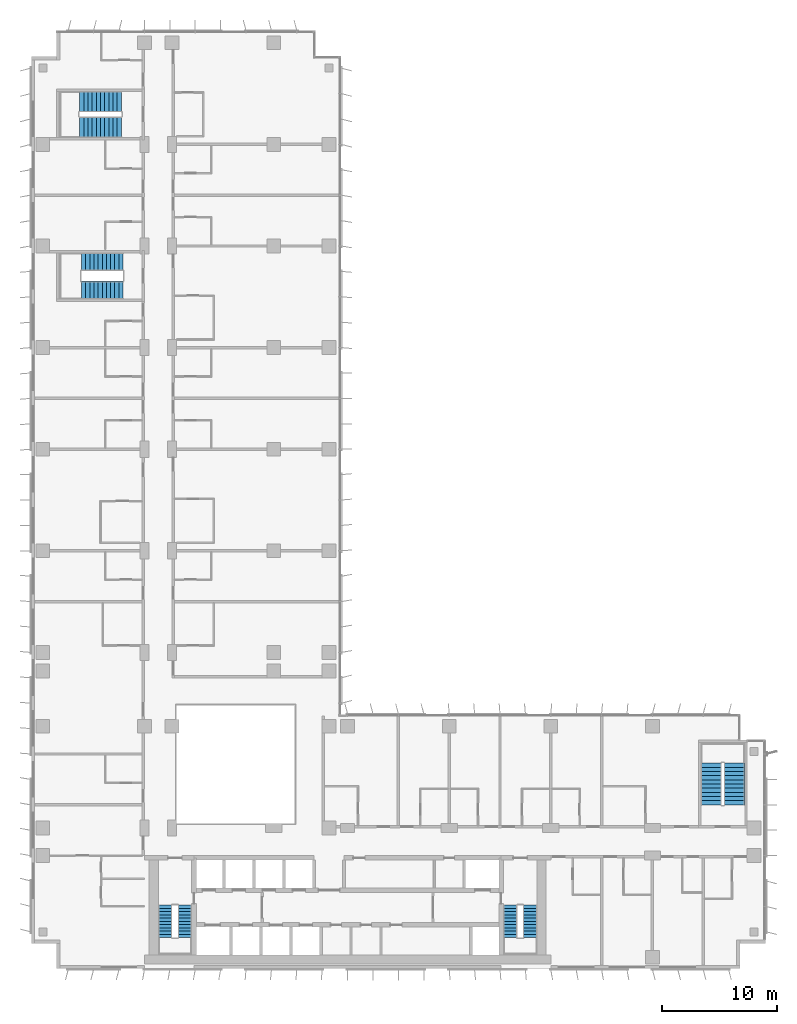
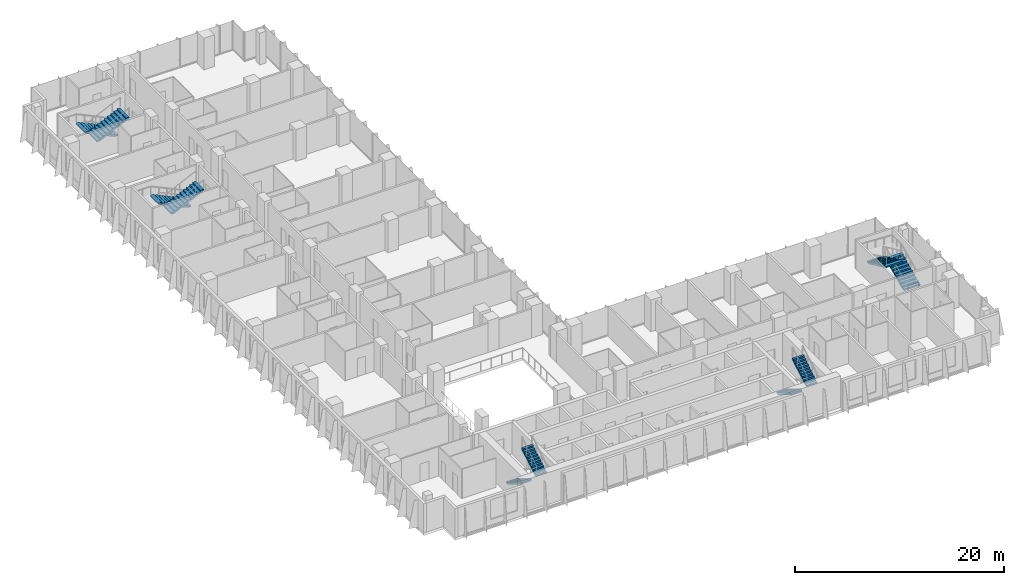
# One storey, part 19 of 23: 10 stair flights, 5 elements without a shape of their own.
"""IFC4 building model written with IfcOpenShell, lengths in metres."""

from ifc_helpers import new_model, si_unit, direction, frame, origin, place, context, subcontext, project, spatial, polyline, outline, extrude, material, type_object, element, aggregate, save


model = new_model("IFC4")

# Units and contexts
model_context = context("Model", 3, precision=1e-05, world=origin(), true_north=direction((0.0, 1.0)))
body_context = subcontext(model_context, "Body", "Model", "MODEL_VIEW")
ifc_project = project(units=[si_unit("LENGTHUNIT", "METRE"), si_unit("AREAUNIT", "SQUARE_METRE"), si_unit("VOLUMEUNIT", "CUBIC_METRE"), si_unit("PLANEANGLEUNIT", "RADIAN"), si_unit("MASSUNIT", "GRAM", prefix="KILO")], contexts=[model_context])

# Site, building, storey
site_placement = place(None, origin())
site = spatial("IfcSite", under=ifc_project, at=site_placement, CompositionType="ELEMENT")
building_placement = place(site_placement, origin())
building = spatial("IfcBuilding", under=site, at=building_placement, Name="Kemantara Hotel Tower", CompositionType="ELEMENT")
storey_placement = place(building_placement, frame((0.0, 0.0, 118.5)))
storey = spatial("IfcBuildingStorey", under=building, at=storey_placement, Name="L28", CompositionType="ELEMENT", Elevation=118.5)

# Stair, stair flights
ifc_material = material(Name="Concrete fc 40 MPa", Category="concrete")
stair_type_1 = type_object("IfcStairType", Name="Stair 1200 wide 22 risers of 168 x 280 mm", PredefinedType="HALF_TURN_STAIR", material=ifc_material)
stair_1_placement = place(storey_placement, origin())
stair_1 = element("IfcStair", 1, at=stair_1_placement, inside=storey, type_object=stair_type_1, Name="L28 Exit stair ST1", PredefinedType="HALF_TURN_STAIR")
stair_flight_type_1 = type_object("IfcStairFlightType", Name="Stair flight 1200 wide 168 x 280 mm", PredefinedType="STRAIGHT", material=ifc_material)
stair_flight_1_placement = place(storey_placement, frame((11.60009765625, 5.5, 0.0), z_axis=(0.0, 0.0, 1.0), x_axis=(0.0, -1.0, 0.0)))
stair_flight_1 = element("IfcStairFlight", 2, at=stair_flight_1_placement, type_object=stair_flight_type_1, Name="ST1 flight 1", NumberOfRisers=11, NumberOfTreads=10, PredefinedType="STRAIGHT", RiserHeight=0.168181818, TreadLength=0.28, context=body_context, shape_type="SweptSolid", body=[
    extrude(outline(polyline([(0.0, 0.0), (0.0, 0.168212890625), (0.280029296875, 0.168212890625), (0.280029296875, 0.33642578125), (0.56005859375, 0.33642578125), (0.56005859375, 0.504638671875), (0.840087890625, 0.504638671875), (0.840087890625, 0.672607421875), (1.1201171875, 0.672607421875), (1.1201171875, 0.8408203125), (1.39990234375, 0.8408203125), (1.39990234375, 1.009033203125), (1.679931640625, 1.009033203125), (1.679931640625, 1.17724609375), (1.9599609375, 1.17724609375), (1.9599609375, 1.345458984375), (2.239990234375, 1.345458984375), (2.239990234375, 1.513671875), (2.52001953125, 1.513671875), (2.52001953125, 1.681884765625), (2.800048828125, 1.681884765625), (2.800048828125, 1.85009765625), (2.800048828125, 1.5068359375), (0.291015625, 0.0), (0.0, 0.0)])), frame((0.0, 0.60009765625, 0.0), z_axis=(0.0, -1.0, 0.0), x_axis=(1.0, 0.0, 0.0)), (0.0, 0.0, 1.0), 1.199951171875),
])
stair_flight_2_placement = place(storey_placement, frame((13.300048828125, 2.699951171875, 1.85009765625), z_axis=(0.0, 0.0, 1.0), x_axis=(0.0, 1.0, 0.0)))
stair_flight_2 = element("IfcStairFlight", 3, at=stair_flight_2_placement, type_object=stair_flight_type_1, Name="ST1 flight 2", NumberOfRisers=11, NumberOfTreads=10, PredefinedType="STRAIGHT", RiserHeight=0.168181818, TreadLength=0.28, context=body_context, shape_type="SweptSolid", body=[
    extrude(outline(polyline([(0.0, 0.0), (0.0, 0.168212890625), (0.280029296875, 0.168212890625), (0.280029296875, 0.33642578125), (0.56005859375, 0.33642578125), (0.56005859375, 0.504638671875), (0.840087890625, 0.504638671875), (0.840087890625, 0.672607421875), (1.1201171875, 0.672607421875), (1.1201171875, 0.8408203125), (1.39990234375, 0.8408203125), (1.39990234375, 1.009033203125), (1.679931640625, 1.009033203125), (1.679931640625, 1.17724609375), (1.9599609375, 1.17724609375), (1.9599609375, 1.345458984375), (2.239990234375, 1.345458984375), (2.239990234375, 1.513671875), (2.52001953125, 1.513671875), (2.52001953125, 1.681884765625), (2.800048828125, 1.681884765625), (2.800048828125, 1.85009765625), (2.800048828125, 1.5068359375), (0.291015625, 0.0), (0.0, 0.0)])), frame((0.0, 0.60009765625, 0.0), z_axis=(0.0, -1.0, 0.0), x_axis=(1.0, 0.0, 0.0)), (0.0, 0.0, 1.0), 1.199951171875),
])
aggregate(stair_1, [stair_flight_1, stair_flight_2])

stair_2_placement = place(storey_placement, origin())
stair_2 = element("IfcStair", 4, at=stair_2_placement, inside=storey, type_object=stair_type_1, Name="L28 Exit stair ST2", PredefinedType="HALF_TURN_STAIR")
stair_flight_3_placement = place(storey_placement, frame((41.5, 5.5, 0.0), z_axis=(0.0, 0.0, 1.0), x_axis=(0.0, -1.0, 0.0)))
stair_flight_3 = element("IfcStairFlight", 5, at=stair_flight_3_placement, type_object=stair_flight_type_1, Name="ST2 flight 1", NumberOfRisers=11, NumberOfTreads=10, PredefinedType="STRAIGHT", RiserHeight=0.168181818, TreadLength=0.28, context=body_context, shape_type="SweptSolid", body=[
    extrude(outline(polyline([(0.0, 0.0), (0.0, 0.168212890625), (0.280029296875, 0.168212890625), (0.280029296875, 0.33642578125), (0.56005859375, 0.33642578125), (0.56005859375, 0.504638671875), (0.840087890625, 0.504638671875), (0.840087890625, 0.672607421875), (1.1201171875, 0.672607421875), (1.1201171875, 0.8408203125), (1.39990234375, 0.8408203125), (1.39990234375, 1.009033203125), (1.679931640625, 1.009033203125), (1.679931640625, 1.17724609375), (1.9599609375, 1.17724609375), (1.9599609375, 1.345458984375), (2.239990234375, 1.345458984375), (2.239990234375, 1.513671875), (2.52001953125, 1.513671875), (2.52001953125, 1.681884765625), (2.800048828125, 1.681884765625), (2.800048828125, 1.85009765625), (2.800048828125, 1.5068359375), (0.291015625, 0.0), (0.0, 0.0)])), frame((0.0, 0.60009765625, 0.0), z_axis=(0.0, -1.0, 0.0), x_axis=(1.0, 0.0, 0.0)), (0.0, 0.0, 1.0), 1.199951171875),
])
stair_flight_4_placement = place(storey_placement, frame((43.199951171875, 2.699951171875, 1.85009765625), z_axis=(0.0, 0.0, 1.0), x_axis=(0.0, 1.0, 0.0)))
stair_flight_4 = element("IfcStairFlight", 6, at=stair_flight_4_placement, type_object=stair_flight_type_1, Name="ST2 flight 2", NumberOfRisers=11, NumberOfTreads=10, PredefinedType="STRAIGHT", RiserHeight=0.168181818, TreadLength=0.28, context=body_context, shape_type="SweptSolid", body=[
    extrude(outline(polyline([(0.0, 0.0), (0.0, 0.168212890625), (0.280029296875, 0.168212890625), (0.280029296875, 0.33642578125), (0.56005859375, 0.33642578125), (0.56005859375, 0.504638671875), (0.840087890625, 0.504638671875), (0.840087890625, 0.672607421875), (1.1201171875, 0.672607421875), (1.1201171875, 0.8408203125), (1.39990234375, 0.8408203125), (1.39990234375, 1.009033203125), (1.679931640625, 1.009033203125), (1.679931640625, 1.17724609375), (1.9599609375, 1.17724609375), (1.9599609375, 1.345458984375), (2.239990234375, 1.345458984375), (2.239990234375, 1.513671875), (2.52001953125, 1.513671875), (2.52001953125, 1.681884765625), (2.800048828125, 1.681884765625), (2.800048828125, 1.85009765625), (2.800048828125, 1.5068359375), (0.291015625, 0.0), (0.0, 0.0)])), frame((0.0, 0.60009765625, 0.0), z_axis=(0.0, -1.0, 0.0), x_axis=(1.0, 0.0, 0.0)), (0.0, 0.0, 1.0), 1.199951171875),
])
aggregate(stair_2, [stair_flight_3, stair_flight_4])

stair_type_2 = type_object("IfcStairType", Name="Stair 1550 wide 22 risers of 168 x 360 mm", PredefinedType="HALF_TURN_STAIR", material=ifc_material)
stair_3_placement = place(storey_placement, origin())
stair_3 = element("IfcStair", 7, at=stair_3_placement, inside=storey, type_object=stair_type_2, Name="L28 Exit stair ST4", PredefinedType="HALF_TURN_STAIR")
stair_flight_type_2 = type_object("IfcStairFlightType", Name="Stair flight 1550 wide 168 x 360 mm", PredefinedType="STRAIGHT", material=ifc_material)
stair_flight_5_placement = place(storey_placement, frame((7.949951171875, 61.22509765625, 0.0), z_axis=(0.0, 0.0, 1.0), x_axis=(-1.0, 0.0, 0.0)))
stair_flight_5 = element("IfcStairFlight", 8, at=stair_flight_5_placement, type_object=stair_flight_type_2, Name="ST4 flight 1", NumberOfRisers=11, NumberOfTreads=10, PredefinedType="STRAIGHT", RiserHeight=0.168181818, TreadLength=0.36, context=body_context, shape_type="SweptSolid", body=[
    extrude(outline(polyline([(0.0, 0.0), (0.0, 0.168212890625), (0.360107421875, 0.168212890625), (0.360107421875, 0.33642578125), (0.719970703125, 0.33642578125), (0.719970703125, 0.504638671875), (1.080078125, 0.504638671875), (1.080078125, 0.672607421875), (1.43994140625, 0.672607421875), (1.43994140625, 0.8408203125), (1.800048828125, 0.8408203125), (1.800048828125, 1.009033203125), (2.159912109375, 1.009033203125), (2.159912109375, 1.17724609375), (2.52001953125, 1.17724609375), (2.52001953125, 1.345458984375), (2.8798828125, 1.345458984375), (2.8798828125, 1.513671875), (3.239990234375, 1.513671875), (3.239990234375, 1.681884765625), (3.60009765625, 1.681884765625), (3.60009765625, 1.85009765625), (3.60009765625, 1.516357421875), (0.354248046875, 0.0), (0.0, 0.0)])), frame((0.0, 0.77490234375, 0.0), z_axis=(0.0, -1.0, 0.0), x_axis=(1.0, 0.0, 0.0)), (0.0, 0.0, 1.0), 1.550048828125),
])
stair_flight_6_placement = place(storey_placement, frame((4.35009765625, 58.77490234375, 1.85009765625), z_axis=(0.0, 0.0, 1.0), x_axis=(1.0, 0.0, 0.0)))
stair_flight_6 = element("IfcStairFlight", 9, at=stair_flight_6_placement, type_object=stair_flight_type_2, Name="ST4 flight 2", NumberOfRisers=11, NumberOfTreads=10, PredefinedType="STRAIGHT", RiserHeight=0.168181818, TreadLength=0.36, context=body_context, shape_type="SweptSolid", body=[
    extrude(outline(polyline([(0.0, 0.0), (0.0, 0.168212890625), (0.360107421875, 0.168212890625), (0.360107421875, 0.33642578125), (0.719970703125, 0.33642578125), (0.719970703125, 0.504638671875), (1.080078125, 0.504638671875), (1.080078125, 0.672607421875), (1.43994140625, 0.672607421875), (1.43994140625, 0.8408203125), (1.800048828125, 0.8408203125), (1.800048828125, 1.009033203125), (2.159912109375, 1.009033203125), (2.159912109375, 1.17724609375), (2.52001953125, 1.17724609375), (2.52001953125, 1.345458984375), (2.8798828125, 1.345458984375), (2.8798828125, 1.513671875), (3.239990234375, 1.513671875), (3.239990234375, 1.681884765625), (3.60009765625, 1.681884765625), (3.60009765625, 1.85009765625), (3.60009765625, 1.516357421875), (0.354248046875, 0.0), (0.0, 0.0)])), frame((0.0, 0.77490234375, 0.0), z_axis=(0.0, -1.0, 0.0), x_axis=(1.0, 0.0, 0.0)), (0.0, 0.0, 1.0), 1.550048828125),
])
aggregate(stair_3, [stair_flight_5, stair_flight_6])

stair_type_3 = type_object("IfcStairType", Name="Stair 1800 wide 22 risers of 168 x 360 mm", PredefinedType="HALF_TURN_STAIR", material=ifc_material)
stair_4_placement = place(storey_placement, origin())
stair_4 = element("IfcStair", 10, at=stair_4_placement, inside=storey, type_object=stair_type_3, Name="L28 Exit stair ST3", PredefinedType="HALF_TURN_STAIR")
stair_flight_type_3 = type_object("IfcStairFlightType", Name="Stair flight 1800 wide 168 x 360 mm", PredefinedType="STRAIGHT", material=ifc_material)
stair_flight_7_placement = place(storey_placement, frame((60.89990234375, 14.199951171875, 0.0), z_axis=(0.0, 0.0, 1.0), x_axis=(0.0, 1.0, 0.0)))
stair_flight_7 = element("IfcStairFlight", 11, at=stair_flight_7_placement, type_object=stair_flight_type_3, Name="ST3 flight 1", NumberOfRisers=11, NumberOfTreads=10, PredefinedType="STRAIGHT", RiserHeight=0.168181818, TreadLength=0.36, context=body_context, shape_type="SweptSolid", body=[
    extrude(outline(polyline([(0.0, 0.0), (0.0, 0.168212890625), (0.360107421875, 0.168212890625), (0.360107421875, 0.33642578125), (0.719970703125, 0.33642578125), (0.719970703125, 0.504638671875), (1.080078125, 0.504638671875), (1.080078125, 0.672607421875), (1.43994140625, 0.672607421875), (1.43994140625, 0.8408203125), (1.800048828125, 0.8408203125), (1.800048828125, 1.009033203125), (2.159912109375, 1.009033203125), (2.159912109375, 1.17724609375), (2.52001953125, 1.17724609375), (2.52001953125, 1.345458984375), (2.8798828125, 1.345458984375), (2.8798828125, 1.513671875), (3.239990234375, 1.513671875), (3.239990234375, 1.681884765625), (3.60009765625, 1.681884765625), (3.60009765625, 1.85009765625), (3.60009765625, 1.516357421875), (0.354248046875, 0.0), (0.0, 0.0)])), frame((0.0, 0.89990234375, 0.0), z_axis=(0.0, -1.0, 0.0), x_axis=(1.0, 0.0, 0.0)), (0.0, 0.0, 1.0), 1.800048828125),
])
stair_flight_8_placement = place(storey_placement, frame((58.89990234375, 17.800048828125, 1.85009765625), z_axis=(0.0, 0.0, 1.0), x_axis=(0.0, -1.0, 0.0)))
stair_flight_8 = element("IfcStairFlight", 12, at=stair_flight_8_placement, type_object=stair_flight_type_3, Name="ST3 flight 2", NumberOfRisers=11, NumberOfTreads=10, PredefinedType="STRAIGHT", RiserHeight=0.168181818, TreadLength=0.36, context=body_context, shape_type="SweptSolid", body=[
    extrude(outline(polyline([(0.0, 0.0), (0.0, 0.168212890625), (0.360107421875, 0.168212890625), (0.360107421875, 0.33642578125), (0.719970703125, 0.33642578125), (0.719970703125, 0.504638671875), (1.080078125, 0.504638671875), (1.080078125, 0.672607421875), (1.43994140625, 0.672607421875), (1.43994140625, 0.8408203125), (1.800048828125, 0.8408203125), (1.800048828125, 1.009033203125), (2.159912109375, 1.009033203125), (2.159912109375, 1.17724609375), (2.52001953125, 1.17724609375), (2.52001953125, 1.345458984375), (2.8798828125, 1.345458984375), (2.8798828125, 1.513671875), (3.239990234375, 1.513671875), (3.239990234375, 1.681884765625), (3.60009765625, 1.681884765625), (3.60009765625, 1.85009765625), (3.60009765625, 1.516357421875), (0.354248046875, 0.0), (0.0, 0.0)])), frame((0.0, 0.89990234375, 0.0), z_axis=(0.0, -1.0, 0.0), x_axis=(1.0, 0.0, 0.0)), (0.0, 0.0, 1.0), 1.800048828125),
])
aggregate(stair_4, [stair_flight_7, stair_flight_8])

stair_5_placement = place(storey_placement, origin())
stair_5 = element("IfcStair", 13, at=stair_5_placement, inside=storey, type_object=stair_type_3, Name="L28 Exit stair ST6", PredefinedType="HALF_TURN_STAIR")
stair_flight_9_placement = place(storey_placement, frame((7.800048828125, 75.10009765625, 0.0), z_axis=(0.0, 0.0, 1.0), x_axis=(-1.0, 0.0, 0.0)))
stair_flight_9 = element("IfcStairFlight", 14, at=stair_flight_9_placement, type_object=stair_flight_type_3, Name="ST6 flight 1", NumberOfRisers=11, NumberOfTreads=10, PredefinedType="STRAIGHT", RiserHeight=0.168181818, TreadLength=0.36, context=body_context, shape_type="SweptSolid", body=[
    extrude(outline(polyline([(0.0, 0.0), (0.0, 0.168212890625), (0.360107421875, 0.168212890625), (0.360107421875, 0.33642578125), (0.719970703125, 0.33642578125), (0.719970703125, 0.504638671875), (1.080078125, 0.504638671875), (1.080078125, 0.672607421875), (1.43994140625, 0.672607421875), (1.43994140625, 0.8408203125), (1.800048828125, 0.8408203125), (1.800048828125, 1.009033203125), (2.159912109375, 1.009033203125), (2.159912109375, 1.17724609375), (2.52001953125, 1.17724609375), (2.52001953125, 1.345458984375), (2.8798828125, 1.345458984375), (2.8798828125, 1.513671875), (3.239990234375, 1.513671875), (3.239990234375, 1.681884765625), (3.60009765625, 1.681884765625), (3.60009765625, 1.85009765625), (3.60009765625, 1.516357421875), (0.354248046875, 0.0), (0.0, 0.0)])), frame((0.0, 0.89990234375, 0.0), z_axis=(0.0, -1.0, 0.0), x_axis=(1.0, 0.0, 0.0)), (0.0, 0.0, 1.0), 1.800048828125),
])
stair_flight_10_placement = place(storey_placement, frame((4.199951171875, 72.89990234375, 1.85009765625), z_axis=(0.0, 0.0, 1.0), x_axis=(1.0, 0.0, 0.0)))
stair_flight_10 = element("IfcStairFlight", 15, at=stair_flight_10_placement, type_object=stair_flight_type_3, Name="ST6 flight 2", NumberOfRisers=11, NumberOfTreads=10, PredefinedType="STRAIGHT", RiserHeight=0.168181818, TreadLength=0.36, context=body_context, shape_type="SweptSolid", body=[
    extrude(outline(polyline([(0.0, 0.0), (0.0, 0.168212890625), (0.360107421875, 0.168212890625), (0.360107421875, 0.33642578125), (0.719970703125, 0.33642578125), (0.719970703125, 0.504638671875), (1.080078125, 0.504638671875), (1.080078125, 0.672607421875), (1.43994140625, 0.672607421875), (1.43994140625, 0.8408203125), (1.800048828125, 0.8408203125), (1.800048828125, 1.009033203125), (2.159912109375, 1.009033203125), (2.159912109375, 1.17724609375), (2.52001953125, 1.17724609375), (2.52001953125, 1.345458984375), (2.8798828125, 1.345458984375), (2.8798828125, 1.513671875), (3.239990234375, 1.513671875), (3.239990234375, 1.681884765625), (3.60009765625, 1.681884765625), (3.60009765625, 1.85009765625), (3.60009765625, 1.516357421875), (0.354248046875, 0.0), (0.0, 0.0)])), frame((0.0, 0.89990234375, 0.0), z_axis=(0.0, -1.0, 0.0), x_axis=(1.0, 0.0, 0.0)), (0.0, 0.0, 1.0), 1.800048828125),
])
aggregate(stair_5, [stair_flight_9, stair_flight_10])

save(model, "model.ifc")
